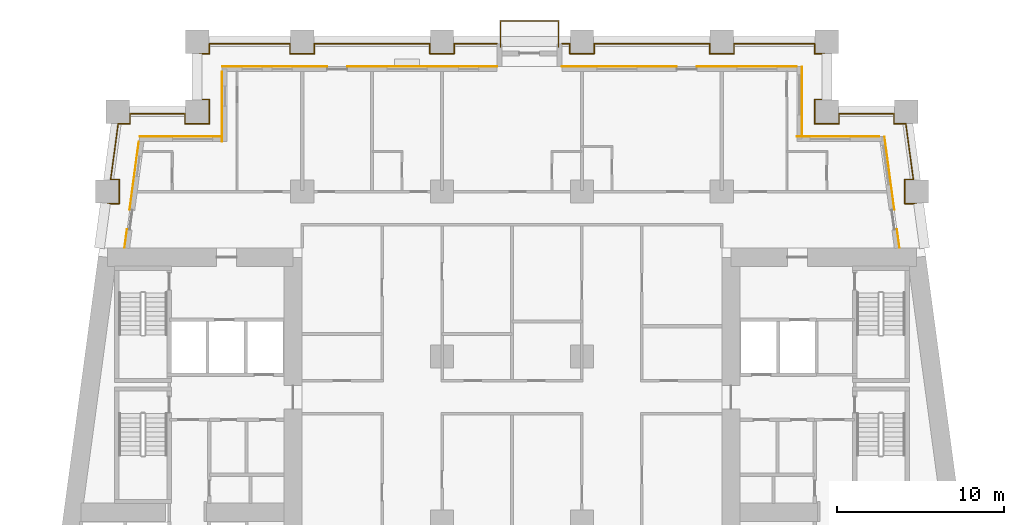
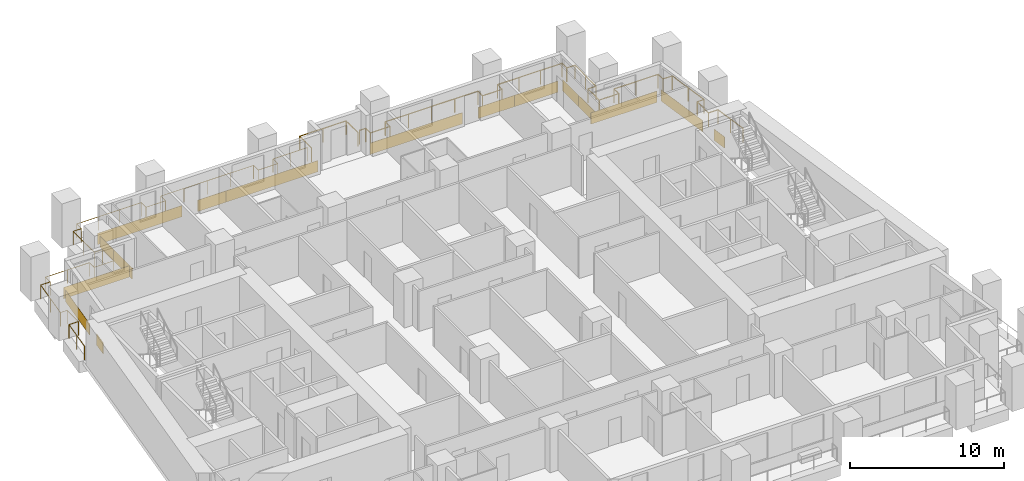
# One storey, part 12 of 13: 16 coverings, 3 railings.
"""IFC4 building model written with IfcOpenShell, lengths in metres."""

from ifc_helpers import new_model, si_unit, direction, frame, origin, origin_2d, place, context, subcontext, project, spatial, rectangle, circle, extrude, material, layer, layer_set, type_object, element, save


model = new_model("IFC4")

# Units and contexts
model_context = context("Model", 3, precision=1e-05, world=origin(), true_north=direction((0.0, 1.0)))
body_context = subcontext(model_context, "Body", "Model", "MODEL_VIEW")
ifc_project = project(units=[si_unit("LENGTHUNIT", "METRE"), si_unit("AREAUNIT", "SQUARE_METRE"), si_unit("VOLUMEUNIT", "CUBIC_METRE"), si_unit("PLANEANGLEUNIT", "RADIAN"), si_unit("MASSUNIT", "GRAM", prefix="KILO")], contexts=[model_context])

# Site, building, storey
site_placement = place(None, origin())
site = spatial("IfcSite", under=ifc_project, at=site_placement, CompositionType="ELEMENT")
building_placement = place(site_placement, origin())
building = spatial("IfcBuilding", under=site, at=building_placement, Name="Candeia Pilgrim Tower and Theatre", CompositionType="ELEMENT")
storey_placement = place(building_placement, frame((0.0, 0.0, 56.5)))
storey = spatial("IfcBuildingStorey", under=building, at=storey_placement, Name="L11", CompositionType="ELEMENT", Elevation=56.5)

# Railings
ifc_material_1 = material(Name="Stainless steel balustrade", Category="steel")
railing_type = type_object("IfcRailingType", Name="G1 loggia guard 1100", PredefinedType="GUARDRAIL", material=ifc_material_1)
railing_1_placement = place(storey_placement, frame((88.758544921875, 132.449951171875, 0.0)))
element("IfcRailing", 1, at=railing_1_placement, inside=storey, type_object=railing_type, Name="Guard L11.2", PredefinedType="GUARDRAIL", context=body_context, shape_type="SweptSolid", body=[
    extrude(circle(Radius=0.02392578125, at=origin_2d()), frame((0.0, 0.0, 1.076171875), z_axis=(0.133439920495, 0.991056904329, 0.0), x_axis=(-0.991056904329, 0.133439920495, 0.0)), (0.0, 0.0, 1.0), 2.643798828125),
    extrude(circle(Radius=0.02392578125, at=origin_2d()), frame((0.352783203125, 2.6201171875, 1.076171875), z_axis=(1.0, 0.0, 0.0), x_axis=(0.0, 1.0, 0.0)), (0.0, 0.0, 1.0), 0.70703125),
    extrude(circle(Radius=0.02392578125, at=origin_2d()), frame((1.059814453125, 2.6201171875, 1.076171875), z_axis=(0.0, 1.0, 0.0), x_axis=(-1.0, 0.0, 0.0)), (0.0, 0.0, 1.0), 1.4599609375),
    extrude(circle(Radius=0.02392578125, at=origin_2d()), frame((1.059814453125, 4.080078125, 1.076171875), z_axis=(-1.0, 0.0, 0.0), x_axis=(0.0, -1.0, 0.0)), (0.0, 0.0, 1.0), 0.510498046875),
    extrude(circle(Radius=0.02392578125, at=origin_2d()), frame((0.54931640625, 4.080078125, 1.076171875), z_axis=(0.133364121373, 0.991067107279, 0.0), x_axis=(-0.991067107279, 0.133364121373, 0.0)), (0.0, 0.0, 1.0), 3.3701171875),
    extrude(circle(Radius=0.02392578125, at=origin_2d()), frame((0.998779296875, 7.420166015625, 1.076171875), z_axis=(1.0, 0.0, 0.0), x_axis=(0.0, 1.0, 0.0)), (0.0, 0.0, 1.0), 0.707275390625),
    extrude(circle(Radius=0.02392578125, at=origin_2d()), frame((1.7060546875, 7.420166015625, 1.076171875), z_axis=(0.0, 1.0, 0.0), x_axis=(-1.0, 0.0, 0.0)), (0.0, 0.0, 1.0), 0.60986328125),
    extrude(circle(Radius=0.02392578125, at=origin_2d()), frame((1.7060546875, 8.030029296875, 1.076171875), z_axis=(1.0, 0.0, 0.0), x_axis=(0.0, 1.0, 0.0)), (0.0, 0.0, 1.0), 3.305419921875),
    extrude(circle(Radius=0.02392578125, at=origin_2d()), frame((5.011474609375, 8.030029296875, 1.076171875), z_axis=(0.0, -1.0, 0.0), x_axis=(1.0, 0.0, 0.0)), (0.0, 0.0, 1.0), 0.60986328125),
    extrude(circle(Radius=0.02392578125, at=origin_2d()), frame((5.011474609375, 7.420166015625, 1.076171875), z_axis=(1.0, 0.0, 0.0), x_axis=(0.0, 1.0, 0.0)), (0.0, 0.0, 1.0), 1.4599609375),
    extrude(circle(Radius=0.02392578125, at=origin_2d()), frame((6.471435546875, 7.420166015625, 1.076171875), z_axis=(0.0, 1.0, 0.0), x_axis=(-1.0, 0.0, 0.0)), (0.0, 0.0, 1.0), 1.4599609375),
    extrude(circle(Radius=0.02392578125, at=origin_2d()), frame((6.471435546875, 8.880126953125, 1.076171875), z_axis=(-1.0, 0.0, 0.0), x_axis=(0.0, -1.0, 0.0)), (0.0, 0.0, 1.0), 0.60986328125),
    extrude(circle(Radius=0.02392578125, at=origin_2d()), frame((5.861572265625, 8.880126953125, 1.076171875), z_axis=(0.0, 1.0, 0.0), x_axis=(-1.0, 0.0, 0.0)), (0.0, 0.0, 1.0), 2.739990234375),
    extrude(circle(Radius=0.02392578125, at=origin_2d()), frame((5.861572265625, 11.6201171875, 1.076171875), z_axis=(1.0, 0.0, 0.0), x_axis=(0.0, 1.0, 0.0)), (0.0, 0.0, 1.0), 0.60986328125),
    extrude(circle(Radius=0.02392578125, at=origin_2d()), frame((6.471435546875, 11.6201171875, 1.076171875), z_axis=(0.0, 1.0, 0.0), x_axis=(-1.0, 0.0, 0.0)), (0.0, 0.0, 1.0), 0.60986328125),
    extrude(circle(Radius=0.02392578125, at=origin_2d()), frame((6.471435546875, 12.22998046875, 1.076171875), z_axis=(1.0, 0.0, 0.0), x_axis=(0.0, 1.0, 0.0)), (0.0, 0.0, 1.0), 4.840087890625),
    extrude(circle(Radius=0.02392578125, at=origin_2d()), frame((11.3115234375, 12.22998046875, 1.076171875), z_axis=(0.0, -1.0, 0.0), x_axis=(1.0, 0.0, 0.0)), (0.0, 0.0, 1.0), 0.60986328125),
    extrude(circle(Radius=0.02392578125, at=origin_2d()), frame((11.3115234375, 11.6201171875, 1.076171875), z_axis=(1.0, 0.0, 0.0), x_axis=(0.0, 1.0, 0.0)), (0.0, 0.0, 1.0), 1.4599609375),
    extrude(circle(Radius=0.02392578125, at=origin_2d()), frame((12.771484375, 11.6201171875, 1.076171875), z_axis=(0.0, 1.0, 0.0), x_axis=(-1.0, 0.0, 0.0)), (0.0, 0.0, 1.0), 0.60986328125),
    extrude(circle(Radius=0.02392578125, at=origin_2d()), frame((12.771484375, 12.22998046875, 1.076171875), z_axis=(1.0, 0.0, 0.0), x_axis=(0.0, 1.0, 0.0)), (0.0, 0.0, 1.0), 6.93994140625),
    extrude(circle(Radius=0.02392578125, at=origin_2d()), frame((19.71142578125, 12.22998046875, 1.076171875), z_axis=(0.0, -1.0, 0.0), x_axis=(1.0, 0.0, 0.0)), (0.0, 0.0, 1.0), 0.60986328125),
    extrude(circle(Radius=0.02392578125, at=origin_2d()), frame((19.71142578125, 11.6201171875, 1.076171875), z_axis=(1.0, 0.0, 0.0), x_axis=(0.0, 1.0, 0.0)), (0.0, 0.0, 1.0), 1.4599609375),
    extrude(circle(Radius=0.02392578125, at=origin_2d()), frame((21.17138671875, 11.6201171875, 1.076171875), z_axis=(0.0, 1.0, 0.0), x_axis=(-1.0, 0.0, 0.0)), (0.0, 0.0, 1.0), 0.60986328125),
    extrude(circle(Radius=0.02392578125, at=origin_2d()), frame((21.17138671875, 12.22998046875, 1.076171875), z_axis=(1.0, 0.0, 0.0), x_axis=(0.0, 1.0, 0.0)), (0.0, 0.0, 1.0), 2.570068359375),
    extrude(circle(Radius=0.02099609375, at=origin_2d()), origin(), (0.0, 0.0, 1.0), 1.052001953125),
    extrude(circle(Radius=0.02099609375, at=origin_2d()), frame((0.17626953125, 1.31005859375, 0.0)), (0.0, 0.0, 1.0), 1.052001953125),
    extrude(circle(Radius=0.02099609375, at=origin_2d()), frame((0.352783203125, 2.6201171875, 0.0)), (0.0, 0.0, 1.0), 1.052001953125),
    extrude(circle(Radius=0.02099609375, at=origin_2d()), frame((1.059814453125, 2.6201171875, 0.0)), (0.0, 0.0, 1.0), 1.052001953125),
    extrude(circle(Radius=0.02099609375, at=origin_2d()), frame((1.059814453125, 4.080078125, 0.0)), (0.0, 0.0, 1.0), 1.052001953125),
    extrude(circle(Radius=0.02099609375, at=origin_2d()), frame((0.54931640625, 4.080078125, 0.0)), (0.0, 0.0, 1.0), 1.052001953125),
    extrude(circle(Radius=0.02099609375, at=origin_2d()), frame((0.77392578125, 5.75, 0.0)), (0.0, 0.0, 1.0), 1.052001953125),
    extrude(circle(Radius=0.02099609375, at=origin_2d()), frame((0.998779296875, 7.420166015625, 0.0)), (0.0, 0.0, 1.0), 1.052001953125),
    extrude(circle(Radius=0.02099609375, at=origin_2d()), frame((1.7060546875, 7.420166015625, 0.0)), (0.0, 0.0, 1.0), 1.052001953125),
    extrude(circle(Radius=0.02099609375, at=origin_2d()), frame((1.7060546875, 8.030029296875, 0.0)), (0.0, 0.0, 1.0), 1.052001953125),
    extrude(circle(Radius=0.02099609375, at=origin_2d()), frame((3.35888671875, 8.030029296875, 0.0)), (0.0, 0.0, 1.0), 1.052001953125),
    extrude(circle(Radius=0.02099609375, at=origin_2d()), frame((5.011474609375, 8.030029296875, 0.0)), (0.0, 0.0, 1.0), 1.052001953125),
    extrude(circle(Radius=0.02099609375, at=origin_2d()), frame((5.011474609375, 7.420166015625, 0.0)), (0.0, 0.0, 1.0), 1.052001953125),
    extrude(circle(Radius=0.02099609375, at=origin_2d()), frame((6.471435546875, 7.420166015625, 0.0)), (0.0, 0.0, 1.0), 1.052001953125),
    extrude(circle(Radius=0.02099609375, at=origin_2d()), frame((6.471435546875, 8.880126953125, 0.0)), (0.0, 0.0, 1.0), 1.052001953125),
    extrude(circle(Radius=0.02099609375, at=origin_2d()), frame((5.861572265625, 8.880126953125, 0.0)), (0.0, 0.0, 1.0), 1.052001953125),
    extrude(circle(Radius=0.02099609375, at=origin_2d()), frame((5.861572265625, 10.25, 0.0)), (0.0, 0.0, 1.0), 1.052001953125),
    extrude(circle(Radius=0.02099609375, at=origin_2d()), frame((5.861572265625, 11.6201171875, 0.0)), (0.0, 0.0, 1.0), 1.052001953125),
    extrude(circle(Radius=0.02099609375, at=origin_2d()), frame((6.471435546875, 11.6201171875, 0.0)), (0.0, 0.0, 1.0), 1.052001953125),
    extrude(circle(Radius=0.02099609375, at=origin_2d()), frame((6.471435546875, 12.22998046875, 0.0)), (0.0, 0.0, 1.0), 1.052001953125),
    extrude(circle(Radius=0.02099609375, at=origin_2d()), frame((8.084716796875, 12.22998046875, 0.0)), (0.0, 0.0, 1.0), 1.052001953125),
    extrude(circle(Radius=0.02099609375, at=origin_2d()), frame((9.6982421875, 12.22998046875, 0.0)), (0.0, 0.0, 1.0), 1.052001953125),
    extrude(circle(Radius=0.02099609375, at=origin_2d()), frame((11.3115234375, 12.22998046875, 0.0)), (0.0, 0.0, 1.0), 1.052001953125),
    extrude(circle(Radius=0.02099609375, at=origin_2d()), frame((11.3115234375, 11.6201171875, 0.0)), (0.0, 0.0, 1.0), 1.052001953125),
    extrude(circle(Radius=0.02099609375, at=origin_2d()), frame((12.771484375, 11.6201171875, 0.0)), (0.0, 0.0, 1.0), 1.052001953125),
    extrude(circle(Radius=0.02099609375, at=origin_2d()), frame((12.771484375, 12.22998046875, 0.0)), (0.0, 0.0, 1.0), 1.052001953125),
    extrude(circle(Radius=0.02099609375, at=origin_2d()), frame((14.50634765625, 12.22998046875, 0.0)), (0.0, 0.0, 1.0), 1.052001953125),
    extrude(circle(Radius=0.02099609375, at=origin_2d()), frame((16.241455078125, 12.22998046875, 0.0)), (0.0, 0.0, 1.0), 1.052001953125),
    extrude(circle(Radius=0.02099609375, at=origin_2d()), frame((17.9765625, 12.22998046875, 0.0)), (0.0, 0.0, 1.0), 1.052001953125),
    extrude(circle(Radius=0.02099609375, at=origin_2d()), frame((19.71142578125, 12.22998046875, 0.0)), (0.0, 0.0, 1.0), 1.052001953125),
    extrude(circle(Radius=0.02099609375, at=origin_2d()), frame((19.71142578125, 11.6201171875, 0.0)), (0.0, 0.0, 1.0), 1.052001953125),
    extrude(circle(Radius=0.02099609375, at=origin_2d()), frame((21.17138671875, 11.6201171875, 0.0)), (0.0, 0.0, 1.0), 1.052001953125),
    extrude(circle(Radius=0.02099609375, at=origin_2d()), frame((21.17138671875, 12.22998046875, 0.0)), (0.0, 0.0, 1.0), 1.052001953125),
    extrude(circle(Radius=0.02099609375, at=origin_2d()), frame((22.45654296875, 12.22998046875, 0.0)), (0.0, 0.0, 1.0), 1.052001953125),
    extrude(circle(Radius=0.02099609375, at=origin_2d()), frame((23.741455078125, 12.22998046875, 0.0)), (0.0, 0.0, 1.0), 1.052001953125),
])
railing_2_placement = place(storey_placement, frame((116.39990234375, 144.679931640625, 0.0)))
element("IfcRailing", 2, at=railing_2_placement, inside=storey, type_object=railing_type, Name="Guard L11.3", PredefinedType="GUARDRAIL", context=body_context, shape_type="SweptSolid", body=[
    extrude(circle(Radius=0.02392578125, at=origin_2d()), frame((0.0, 0.0, 1.076171875), z_axis=(1.0, 0.0, 0.0), x_axis=(0.0, 1.0, 0.0)), (0.0, 0.0, 1.0), 0.47021484375),
    extrude(circle(Radius=0.02392578125, at=origin_2d()), frame((0.47021484375, 0.0, 1.076171875), z_axis=(0.0, -1.0, 0.0), x_axis=(1.0, 0.0, 0.0)), (0.0, 0.0, 1.0), 0.60986328125),
    extrude(circle(Radius=0.02392578125, at=origin_2d()), frame((0.47021484375, -0.60986328125, 1.076171875), z_axis=(1.0, 0.0, 0.0), x_axis=(0.0, 1.0, 0.0)), (0.0, 0.0, 1.0), 1.4599609375),
    extrude(circle(Radius=0.02392578125, at=origin_2d()), frame((1.93017578125, -0.60986328125, 1.076171875), z_axis=(0.0, 1.0, 0.0), x_axis=(-1.0, 0.0, 0.0)), (0.0, 0.0, 1.0), 0.60986328125),
    extrude(circle(Radius=0.02392578125, at=origin_2d()), frame((1.93017578125, 0.0, 1.076171875), z_axis=(1.0, 0.0, 0.0), x_axis=(0.0, 1.0, 0.0)), (0.0, 0.0, 1.0), 6.93994140625),
    extrude(circle(Radius=0.02392578125, at=origin_2d()), frame((8.8701171875, 0.0, 1.076171875), z_axis=(0.0, -1.0, 0.0), x_axis=(1.0, 0.0, 0.0)), (0.0, 0.0, 1.0), 0.60986328125),
    extrude(circle(Radius=0.02392578125, at=origin_2d()), frame((8.8701171875, -0.60986328125, 1.076171875), z_axis=(1.0, 0.0, 0.0), x_axis=(0.0, 1.0, 0.0)), (0.0, 0.0, 1.0), 1.4599609375),
    extrude(circle(Radius=0.02392578125, at=origin_2d()), frame((10.330078125, -0.60986328125, 1.076171875), z_axis=(0.0, 1.0, 0.0), x_axis=(-1.0, 0.0, 0.0)), (0.0, 0.0, 1.0), 0.60986328125),
    extrude(circle(Radius=0.02392578125, at=origin_2d()), frame((10.330078125, 0.0, 1.076171875), z_axis=(1.0, 0.0, 0.0), x_axis=(0.0, 1.0, 0.0)), (0.0, 0.0, 1.0), 4.840087890625),
    extrude(circle(Radius=0.02392578125, at=origin_2d()), frame((15.170166015625, 0.0, 1.076171875), z_axis=(0.0, -1.0, 0.0), x_axis=(1.0, 0.0, 0.0)), (0.0, 0.0, 1.0), 0.60986328125),
    extrude(circle(Radius=0.02392578125, at=origin_2d()), frame((15.170166015625, -0.60986328125, 1.076171875), z_axis=(1.0, 0.0, 0.0), x_axis=(0.0, 1.0, 0.0)), (0.0, 0.0, 1.0), 0.60986328125),
    extrude(circle(Radius=0.02392578125, at=origin_2d()), frame((15.780029296875, -0.60986328125, 1.076171875), z_axis=(0.0, -1.0, 0.0), x_axis=(1.0, 0.0, 0.0)), (0.0, 0.0, 1.0), 2.739990234375),
    extrude(circle(Radius=0.02392578125, at=origin_2d()), frame((15.780029296875, -3.349853515625, 1.076171875), z_axis=(-1.0, 0.0, 0.0), x_axis=(0.0, -1.0, 0.0)), (0.0, 0.0, 1.0), 0.60986328125),
    extrude(circle(Radius=0.02392578125, at=origin_2d()), frame((15.170166015625, -3.349853515625, 1.076171875), z_axis=(0.0, -1.0, 0.0), x_axis=(1.0, 0.0, 0.0)), (0.0, 0.0, 1.0), 1.4599609375),
    extrude(circle(Radius=0.02392578125, at=origin_2d()), frame((15.170166015625, -4.809814453125, 1.076171875), z_axis=(1.0, 0.0, 0.0), x_axis=(0.0, 1.0, 0.0)), (0.0, 0.0, 1.0), 1.4599609375),
    extrude(circle(Radius=0.02392578125, at=origin_2d()), frame((16.630126953125, -4.809814453125, 1.076171875), z_axis=(0.0, 1.0, 0.0), x_axis=(-1.0, 0.0, 0.0)), (0.0, 0.0, 1.0), 0.60986328125),
    extrude(circle(Radius=0.02392578125, at=origin_2d()), frame((16.630126953125, -4.199951171875, 1.076171875), z_axis=(1.0, 0.0, 0.0), x_axis=(0.0, 1.0, 0.0)), (0.0, 0.0, 1.0), 3.305419921875),
    extrude(circle(Radius=0.02392578125, at=origin_2d()), frame((19.935546875, -4.199951171875, 1.076171875), z_axis=(0.0, -1.0, 0.0), x_axis=(1.0, 0.0, 0.0)), (0.0, 0.0, 1.0), 0.60986328125),
    extrude(circle(Radius=0.02392578125, at=origin_2d()), frame((19.935546875, -4.809814453125, 1.076171875), z_axis=(1.0, 0.0, 0.0), x_axis=(0.0, 1.0, 0.0)), (0.0, 0.0, 1.0), 0.70703125),
    extrude(circle(Radius=0.02392578125, at=origin_2d()), frame((20.642578125, -4.809814453125, 1.076171875), z_axis=(0.133435273035, -0.991057530071, 0.0), x_axis=(0.991057530071, 0.133435273035, 0.0)), (0.0, 0.0, 1.0), 3.3701171875),
    extrude(circle(Radius=0.02392578125, at=origin_2d()), frame((21.09228515625, -8.14990234375, 1.076171875), z_axis=(-1.0, 0.0, 0.0), x_axis=(0.0, -1.0, 0.0)), (0.0, 0.0, 1.0), 0.5107421875),
    extrude(circle(Radius=0.02392578125, at=origin_2d()), frame((20.58154296875, -8.14990234375, 1.076171875), z_axis=(0.0, -1.0, 0.0), x_axis=(1.0, 0.0, 0.0)), (0.0, 0.0, 1.0), 1.4599609375),
    extrude(circle(Radius=0.02392578125, at=origin_2d()), frame((20.58154296875, -9.60986328125, 1.076171875), z_axis=(1.0, 0.0, 0.0), x_axis=(0.0, 1.0, 0.0)), (0.0, 0.0, 1.0), 0.707275390625),
    extrude(circle(Radius=0.02392578125, at=origin_2d()), frame((21.288818359375, -9.60986328125, 1.076171875), z_axis=(0.133439920495, -0.991056904329, 0.0), x_axis=(0.991056904329, 0.133439920495, 0.0)), (0.0, 0.0, 1.0), 2.643798828125),
    extrude(circle(Radius=0.02099609375, at=origin_2d()), origin(), (0.0, 0.0, 1.0), 1.052001953125),
    extrude(circle(Radius=0.02099609375, at=origin_2d()), frame((0.47021484375, 0.0, 0.0)), (0.0, 0.0, 1.0), 1.052001953125),
    extrude(circle(Radius=0.02099609375, at=origin_2d()), frame((0.47021484375, -0.60986328125, 0.0)), (0.0, 0.0, 1.0), 1.052001953125),
    extrude(circle(Radius=0.02099609375, at=origin_2d()), frame((1.93017578125, -0.60986328125, 0.0)), (0.0, 0.0, 1.0), 1.052001953125),
    extrude(circle(Radius=0.02099609375, at=origin_2d()), frame((1.93017578125, 0.0, 0.0)), (0.0, 0.0, 1.0), 1.052001953125),
    extrude(circle(Radius=0.02099609375, at=origin_2d()), frame((3.6650390625, 0.0, 0.0)), (0.0, 0.0, 1.0), 1.052001953125),
    extrude(circle(Radius=0.02099609375, at=origin_2d()), frame((5.400146484375, 0.0, 0.0)), (0.0, 0.0, 1.0), 1.052001953125),
    extrude(circle(Radius=0.02099609375, at=origin_2d()), frame((7.13525390625, 0.0, 0.0)), (0.0, 0.0, 1.0), 1.052001953125),
    extrude(circle(Radius=0.02099609375, at=origin_2d()), frame((8.8701171875, 0.0, 0.0)), (0.0, 0.0, 1.0), 1.052001953125),
    extrude(circle(Radius=0.02099609375, at=origin_2d()), frame((8.8701171875, -0.60986328125, 0.0)), (0.0, 0.0, 1.0), 1.052001953125),
    extrude(circle(Radius=0.02099609375, at=origin_2d()), frame((10.330078125, -0.60986328125, 0.0)), (0.0, 0.0, 1.0), 1.052001953125),
    extrude(circle(Radius=0.02099609375, at=origin_2d()), frame((10.330078125, 0.0, 0.0)), (0.0, 0.0, 1.0), 1.052001953125),
    extrude(circle(Radius=0.02099609375, at=origin_2d()), frame((11.943359375, 0.0, 0.0)), (0.0, 0.0, 1.0), 1.052001953125),
    extrude(circle(Radius=0.02099609375, at=origin_2d()), frame((13.556884765625, 0.0, 0.0)), (0.0, 0.0, 1.0), 1.052001953125),
    extrude(circle(Radius=0.02099609375, at=origin_2d()), frame((15.170166015625, 0.0, 0.0)), (0.0, 0.0, 1.0), 1.052001953125),
    extrude(circle(Radius=0.02099609375, at=origin_2d()), frame((15.170166015625, -0.60986328125, 0.0)), (0.0, 0.0, 1.0), 1.052001953125),
    extrude(circle(Radius=0.02099609375, at=origin_2d()), frame((15.780029296875, -0.60986328125, 0.0)), (0.0, 0.0, 1.0), 1.052001953125),
    extrude(circle(Radius=0.02099609375, at=origin_2d()), frame((15.780029296875, -1.97998046875, 0.0)), (0.0, 0.0, 1.0), 1.052001953125),
    extrude(circle(Radius=0.02099609375, at=origin_2d()), frame((15.780029296875, -3.349853515625, 0.0)), (0.0, 0.0, 1.0), 1.052001953125),
    extrude(circle(Radius=0.02099609375, at=origin_2d()), frame((15.170166015625, -3.349853515625, 0.0)), (0.0, 0.0, 1.0), 1.052001953125),
    extrude(circle(Radius=0.02099609375, at=origin_2d()), frame((15.170166015625, -4.809814453125, 0.0)), (0.0, 0.0, 1.0), 1.052001953125),
    extrude(circle(Radius=0.02099609375, at=origin_2d()), frame((16.630126953125, -4.809814453125, 0.0)), (0.0, 0.0, 1.0), 1.052001953125),
    extrude(circle(Radius=0.02099609375, at=origin_2d()), frame((16.630126953125, -4.199951171875, 0.0)), (0.0, 0.0, 1.0), 1.052001953125),
    extrude(circle(Radius=0.02099609375, at=origin_2d()), frame((18.28271484375, -4.199951171875, 0.0)), (0.0, 0.0, 1.0), 1.052001953125),
    extrude(circle(Radius=0.02099609375, at=origin_2d()), frame((19.935546875, -4.199951171875, 0.0)), (0.0, 0.0, 1.0), 1.052001953125),
    extrude(circle(Radius=0.02099609375, at=origin_2d()), frame((19.935546875, -4.809814453125, 0.0)), (0.0, 0.0, 1.0), 1.052001953125),
    extrude(circle(Radius=0.02099609375, at=origin_2d()), frame((20.642578125, -4.809814453125, 0.0)), (0.0, 0.0, 1.0), 1.052001953125),
    extrude(circle(Radius=0.02099609375, at=origin_2d()), frame((20.867431640625, -6.47998046875, 0.0)), (0.0, 0.0, 1.0), 1.052001953125),
    extrude(circle(Radius=0.02099609375, at=origin_2d()), frame((21.09228515625, -8.14990234375, 0.0)), (0.0, 0.0, 1.0), 1.052001953125),
    extrude(circle(Radius=0.02099609375, at=origin_2d()), frame((20.58154296875, -8.14990234375, 0.0)), (0.0, 0.0, 1.0), 1.052001953125),
    extrude(circle(Radius=0.02099609375, at=origin_2d()), frame((20.58154296875, -9.60986328125, 0.0)), (0.0, 0.0, 1.0), 1.052001953125),
    extrude(circle(Radius=0.02099609375, at=origin_2d()), frame((21.288818359375, -9.60986328125, 0.0)), (0.0, 0.0, 1.0), 1.052001953125),
    extrude(circle(Radius=0.02099609375, at=origin_2d()), frame((21.46533203125, -10.919921875, 0.0)), (0.0, 0.0, 1.0), 1.052001953125),
    extrude(circle(Radius=0.02099609375, at=origin_2d()), frame((21.6416015625, -12.22998046875, 0.0)), (0.0, 0.0, 1.0), 1.052001953125),
])
railing_3_placement = place(storey_placement, frame((112.7099609375, 144.5, 0.0)))
element("IfcRailing", 3, at=railing_3_placement, inside=storey, type_object=railing_type, Name="Balcony guard L11", PredefinedType="GUARDRAIL", context=body_context, shape_type="SweptSolid", body=[
    extrude(circle(Radius=0.02392578125, at=origin_2d()), frame((0.0, 0.0, 1.076171875), z_axis=(0.0, 1.0, 0.0), x_axis=(-1.0, 0.0, 0.0)), (0.0, 0.0, 1.0), 1.5400390625),
    extrude(circle(Radius=0.02392578125, at=origin_2d()), frame((0.0, 1.5400390625, 1.076171875), z_axis=(1.0, 0.0, 0.0), x_axis=(0.0, 1.0, 0.0)), (0.0, 0.0, 1.0), 3.47998046875),
    extrude(circle(Radius=0.02392578125, at=origin_2d()), frame((3.47998046875, 1.5400390625, 1.076171875), z_axis=(0.0, -1.0, 0.0), x_axis=(1.0, 0.0, 0.0)), (0.0, 0.0, 1.0), 1.5400390625),
    extrude(circle(Radius=0.02099609375, at=origin_2d()), origin(), (0.0, 0.0, 1.0), 1.052001953125),
    extrude(circle(Radius=0.02099609375, at=origin_2d()), frame((0.0, 1.5400390625, 0.0)), (0.0, 0.0, 1.0), 1.052001953125),
    extrude(circle(Radius=0.02099609375, at=origin_2d()), frame((1.739990234375, 1.5400390625, 0.0)), (0.0, 0.0, 1.0), 1.052001953125),
    extrude(circle(Radius=0.02099609375, at=origin_2d()), frame((3.47998046875, 1.5400390625, 0.0)), (0.0, 0.0, 1.0), 1.052001953125),
    extrude(circle(Radius=0.02099609375, at=origin_2d()), frame((3.47998046875, 0.0, 0.0)), (0.0, 0.0, 1.0), 1.052001953125),
])

# Coverings
ifc_material_2 = material(Name="Glazed ceramic tile deep red")
ifc_layer_1 = layer(ifc_material_2, 0.02001953125)
ifc_layer_set_1 = layer_set([ifc_layer_1], Name="Glazed ceramic tile deep red")
covering_type_1 = type_object("IfcCoveringType", Name="Glazed ceramic tile deep red", PredefinedType="CLADDING", material=ifc_layer_set_1)
covering_1_placement = place(storey_placement, frame((132.976318359375, 139.110107421875, 0.0), z_axis=(0.0, 0.0, 1.0), x_axis=(-1.0, 0.0, 0.0)))
element("IfcCovering", 4, at=covering_1_placement, inside=storey, type_object=covering_type_1, Name="Tile cladding deep red L11", PredefinedType="CLADDING", context=body_context, shape_type="SweptSolid", body=[
    extrude(rectangle(XDim=4.95263671875, YDim=0.02001953125, at=origin_2d()), origin(), (0.0, 0.0, 1.0), 0.89990234375),
])
covering_2_placement = place(storey_placement, frame((130.81005859375, 142.25, 0.0), z_axis=(0.0, 0.0, 1.0), x_axis=(0.0, 1.0, 0.0)))
element("IfcCovering", 5, at=covering_2_placement, inside=storey, type_object=covering_type_1, Name="Tile cladding deep red L11", PredefinedType="CLADDING", context=body_context, shape_type="SweptSolid", body=[
    extrude(rectangle(XDim=2.10009765625, YDim=0.02001953125, at=origin_2d()), origin(), (0.0, 0.0, 1.0), 0.89990234375),
])
covering_3_placement = place(storey_placement, frame((128.840087890625, 143.31005859375, 0.0), z_axis=(0.0, 0.0, 1.0), x_axis=(-1.0, 0.0, 0.0)))
element("IfcCovering", 6, at=covering_3_placement, inside=storey, type_object=covering_type_1, Name="Tile cladding deep red L11", PredefinedType="CLADDING", context=body_context, shape_type="SweptSolid", body=[
    extrude(rectangle(XDim=3.280029296875, YDim=0.02001953125, at=origin_2d()), origin(), (0.0, 0.0, 1.0), 0.89990234375),
])
covering_4_placement = place(storey_placement, frame((104.550048828125, 143.31005859375, 0.0), z_axis=(0.0, 0.0, 1.0), x_axis=(-1.0, 0.0, 0.0)))
element("IfcCovering", 7, at=covering_4_placement, inside=storey, type_object=covering_type_1, Name="Tile cladding deep red L11", PredefinedType="CLADDING", context=body_context, shape_type="SweptSolid", body=[
    extrude(rectangle(XDim=2.10009765625, YDim=0.02001953125, at=origin_2d()), origin(), (0.0, 0.0, 1.0), 0.89990234375),
])
covering_5_placement = place(storey_placement, frame((99.14990234375, 143.31005859375, 0.0), z_axis=(0.0, 0.0, 1.0), x_axis=(-1.0, 0.0, 0.0)))
element("IfcCovering", 8, at=covering_5_placement, inside=storey, type_object=covering_type_1, Name="Tile cladding deep red L11", PredefinedType="CLADDING", context=body_context, shape_type="SweptSolid", body=[
    extrude(rectangle(XDim=6.300048828125, YDim=0.02001953125, at=origin_2d()), origin(), (0.0, 0.0, 1.0), 0.89990234375),
])
covering_6_placement = place(storey_placement, frame((95.989990234375, 142.090087890625, 0.0), z_axis=(0.0, 0.0, 1.0), x_axis=(0.0, -1.0, 0.0)))
element("IfcCovering", 9, at=covering_6_placement, inside=storey, type_object=covering_type_1, Name="Tile cladding deep red L11", PredefinedType="CLADDING", context=body_context, shape_type="SweptSolid", body=[
    extrude(rectangle(XDim=1.780029296875, YDim=0.02001953125, at=origin_2d()), origin(), (0.0, 0.0, 1.0), 0.89990234375),
])
covering_7_placement = place(storey_placement, frame((93.51318359375, 139.110107421875, 0.0), z_axis=(0.0, 0.0, 1.0), x_axis=(-1.0, 0.0, 0.0)))
element("IfcCovering", 10, at=covering_7_placement, inside=storey, type_object=covering_type_1, Name="Tile cladding deep red L11", PredefinedType="CLADDING", context=body_context, shape_type="SweptSolid", body=[
    extrude(rectangle(XDim=4.933837890625, YDim=0.02001953125, at=origin_2d()), origin(), (0.0, 0.0, 1.0), 0.89990234375),
])
ifc_material_3 = material(Name="Glazed ceramic tile red")
ifc_layer_2 = layer(ifc_material_3, 0.02001953125)
ifc_layer_set_2 = layer_set([ifc_layer_2], Name="Glazed ceramic tile red")
covering_type_2 = type_object("IfcCoveringType", Name="Glazed ceramic tile red", PredefinedType="CLADDING", material=ifc_layer_set_2)
covering_8_placement = place(storey_placement, frame((136.588623046875, 132.97412109375, 0.0), z_axis=(0.0, 0.0, 1.0), x_axis=(-0.133412012145, 0.991060661622, 0.0)))
element("IfcCovering", 11, at=covering_8_placement, inside=storey, type_object=covering_type_2, Name="Tile cladding red L11", PredefinedType="CLADDING", context=body_context, shape_type="SweptSolid", body=[
    extrude(rectangle(XDim=1.115234375, YDim=0.02001953125, at=origin_2d()), origin(), (0.0, 0.0, 1.0), 0.89990234375),
])
covering_9_placement = place(storey_placement, frame((136.058837890625, 136.90869140625, 0.0), z_axis=(0.0, 0.0, 1.0), x_axis=(-0.133412012145, 0.991060661622, 0.0)))
element("IfcCovering", 12, at=covering_9_placement, inside=storey, type_object=covering_type_2, Name="Tile cladding red L11", PredefinedType="CLADDING", context=body_context, shape_type="SweptSolid", body=[
    extrude(rectangle(XDim=4.4248046875, YDim=0.02001953125, at=origin_2d()), origin(), (0.0, 0.0, 1.0), 0.89990234375),
])
covering_10_placement = place(storey_placement, frame((130.81005859375, 140.159912109375, 0.0), z_axis=(0.0, 0.0, 1.0), x_axis=(0.0, 1.0, 0.0)))
element("IfcCovering", 13, at=covering_10_placement, inside=storey, type_object=covering_type_2, Name="Tile cladding red L11", PredefinedType="CLADDING", context=body_context, shape_type="SweptSolid", body=[
    extrude(rectangle(XDim=2.080078125, YDim=0.02001953125, at=origin_2d()), origin(), (0.0, 0.0, 1.0), 0.89990234375),
])
covering_11_placement = place(storey_placement, frame((125.85009765625, 143.31005859375, 0.0), z_axis=(0.0, 0.0, 1.0), x_axis=(-1.0, 0.0, 0.0)))
element("IfcCovering", 14, at=covering_11_placement, inside=storey, type_object=covering_type_2, Name="Tile cladding red L11", PredefinedType="CLADDING", context=body_context, shape_type="SweptSolid", body=[
    extrude(rectangle(XDim=2.699951171875, YDim=0.02001953125, at=origin_2d()), origin(), (0.0, 0.0, 1.0), 0.89990234375),
])
for number, where, z_axis, x_axis, name in (
    (15, (119.85009765625, 143.31005859375, 0.0), (0.0, 0.0, 1.0), (-1.0, 0.0, 0.0), "Tile cladding red L11"),
    (16, (109.050048828125, 143.31005859375, 0.0), (0.0, 0.0, 1.0), (-1.0, 0.0, 0.0), "Tile cladding red L11"),
):
    element("IfcCovering", number, at=place(storey_placement, frame(where, z_axis=z_axis, x_axis=x_axis)), inside=storey, type_object=covering_type_2, Name=name, PredefinedType="CLADDING", context=body_context, shape_type="SweptSolid", body=[
        extrude(rectangle(XDim=6.89990234375, YDim=0.02001953125, at=origin_2d()), origin(), (0.0, 0.0, 1.0), 0.89990234375),
    ])
covering_12_placement = place(storey_placement, frame((95.989990234375, 140.0, 0.0), z_axis=(0.0, 0.0, 1.0), x_axis=(0.0, -1.0, 0.0)))
element("IfcCovering", 17, at=covering_12_placement, inside=storey, type_object=covering_type_2, Name="Tile cladding red L11", PredefinedType="CLADDING", context=body_context, shape_type="SweptSolid", body=[
    extrude(rectangle(XDim=2.39990234375, YDim=0.02001953125, at=origin_2d()), origin(), (0.0, 0.0, 1.0), 0.89990234375),
])
covering_13_placement = place(storey_placement, frame((90.720947265625, 136.759521484375, 0.0), z_axis=(0.0, 0.0, 1.0), x_axis=(-0.133412012145, -0.991060661622, 0.0)))
element("IfcCovering", 18, at=covering_13_placement, inside=storey, type_object=covering_type_2, Name="Tile cladding red L11", PredefinedType="CLADDING", context=body_context, shape_type="SweptSolid", body=[
    extrude(rectangle(XDim=4.123779296875, YDim=0.02001953125, at=origin_2d()), origin(), (0.0, 0.0, 1.0), 0.89990234375),
])
covering_14_placement = place(storey_placement, frame((90.21142578125, 132.97412109375, 0.0), z_axis=(0.0, 0.0, 1.0), x_axis=(-0.133412012145, -0.991060661622, 0.0)))
element("IfcCovering", 19, at=covering_14_placement, inside=storey, type_object=covering_type_2, Name="Tile cladding red L11", PredefinedType="CLADDING", context=body_context, shape_type="SweptSolid", body=[
    extrude(rectangle(XDim=1.115234375, YDim=0.02001953125, at=origin_2d()), origin(), (0.0, 0.0, 1.0), 0.89990234375),
])

save(model, "model.ifc")
